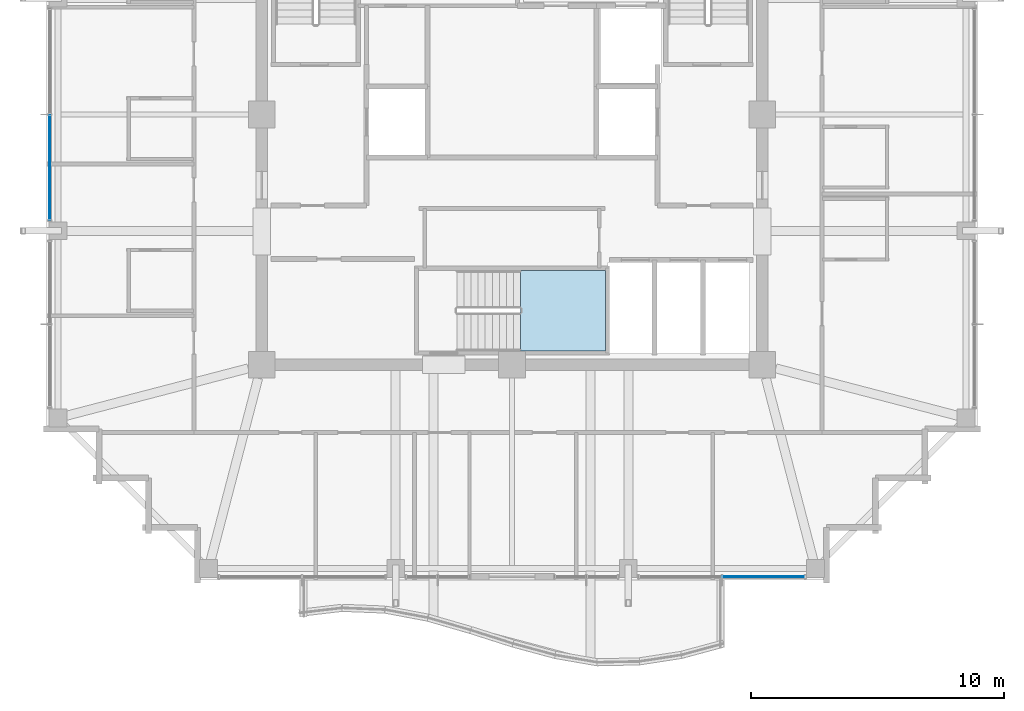
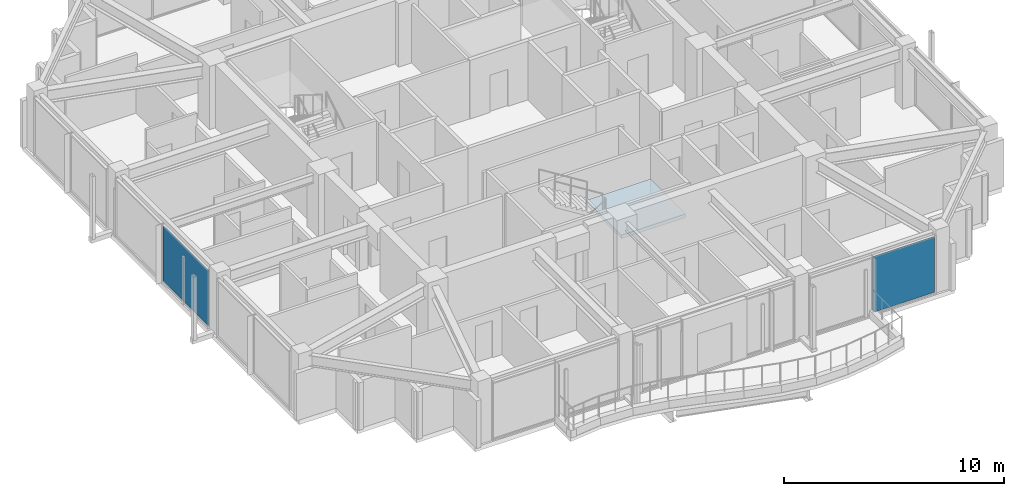
# One storey, part 21 of 31: 2 plates, 1 slab, 3 elements without a shape of their own.
"""IFC4 building model written with IfcOpenShell, lengths in metres."""

from ifc_helpers import new_model, si_unit, direction, frame, origin, origin_2d, place, context, subcontext, project, spatial, polyline, rectangle, outline, extrude, material, layer, layer_set, type_object, element, aggregate, save


model = new_model("IFC4")

# Units and contexts
model_context = context("Model", 3, precision=1e-05, world=origin(), true_north=direction((0.0, 1.0)))
body_context = subcontext(model_context, "Body", "Model", "MODEL_VIEW")
ifc_project = project(units=[si_unit("LENGTHUNIT", "METRE"), si_unit("AREAUNIT", "SQUARE_METRE"), si_unit("VOLUMEUNIT", "CUBIC_METRE"), si_unit("PLANEANGLEUNIT", "RADIAN"), si_unit("MASSUNIT", "GRAM", prefix="KILO")], contexts=[model_context])

# Site, building, storey
site_placement = place(None, origin())
site = spatial("IfcSite", under=ifc_project, at=site_placement, CompositionType="ELEMENT")
building_placement = place(site_placement, origin())
building = spatial("IfcBuilding", under=site, at=building_placement, Name="Kolvaren Belvedere", CompositionType="ELEMENT")
storey_placement = place(building_placement, frame((0.0, 0.0, 247.89990234375)))
storey = spatial("IfcBuildingStorey", under=building, at=storey_placement, Name="L72", CompositionType="ELEMENT", Elevation=247.89990234375)

# Curtain wall, plate
ifc_material_1 = material(Name="Anodised pale-metal aluminium AA 6063-T6", Category="aluminium")
curtain_wall_type = type_object("IfcCurtainWallType", Name="CW-Z5-HIGH", PredefinedType="NOTDEFINED", material=ifc_material_1)
curtain_wall_1_placement = place(storey_placement, origin())
curtain_wall_1 = element("IfcCurtainWall", 1, at=curtain_wall_1_placement, inside=storey, type_object=curtain_wall_type, Name="L72 Unitised Curtain Wall FCW-L72-S1-B1", PredefinedType="NOTDEFINED")
ifc_material_2 = material(Name="Low-iron triple insulated glass", Category="glass")
ifc_layer_1 = layer(ifc_material_2, 0.028076171875)
ifc_layer_set_1 = layer_set([ifc_layer_1], Name="Low-iron triple insulated glass")
plate_type = type_object("IfcPlateType", Name="CW-PNL-VIS28", PredefinedType="CURTAIN_PANEL", material=ifc_layer_set_1)
plate_1_placement = place(storey_placement, frame((9.947509765625, -18.280029296875, 0.080078125), z_axis=(0.0, 0.0, 1.0), x_axis=(-1.0, 0.0, 0.0)))
plate_1 = element("IfcPlate", 2, at=plate_1_placement, type_object=plate_type, Name="FCW-L72-S1-B1 Vision Glazing Panel 1", PredefinedType="CURTAIN_PANEL", context=body_context, shape_type="SweptSolid", body=[
    extrude(rectangle(XDim=3.215087890625, YDim=0.028076171875, at=origin_2d()), origin(), (0.0, 0.0, 1.0), 3.090087890625),
])
aggregate(curtain_wall_1, [plate_1])

curtain_wall_2_placement = place(storey_placement, origin())
curtain_wall_2 = element("IfcCurtainWall", 3, at=curtain_wall_2_placement, inside=storey, type_object=curtain_wall_type, Name="L72 Unitised Curtain Wall FCW-L72-W-B2", PredefinedType="NOTDEFINED")
plate_2_placement = place(storey_placement, frame((-18.280029296875, -2.097412109375, 0.080078125), z_axis=(0.0, 0.0, 1.0), x_axis=(0.0, 1.0, 0.0)))
plate_2 = element("IfcPlate", 4, at=plate_2_placement, type_object=plate_type, Name="FCW-L72-W-B2 Vision Glazing Panel 1", PredefinedType="CURTAIN_PANEL", context=body_context, shape_type="SweptSolid", body=[
    extrude(rectangle(XDim=4.114990234375, YDim=0.028076171875, at=origin_2d()), origin(), (0.0, 0.0, 1.0), 3.090087890625),
])
aggregate(curtain_wall_2, [plate_2])

# Stair, slab
ifc_material_3 = material(Name="Concrete C50/60", Category="concrete")
stair_type = type_object("IfcStairType", Name="ST-CORE-1520", PredefinedType="HALF_TURN_STAIR", material=ifc_material_3)
stair_placement = place(storey_placement, origin())
stair = element("IfcStair", 5, at=stair_placement, inside=storey, type_object=stair_type, Name="L72 Protected Exit Stair ST-3", PredefinedType="HALF_TURN_STAIR")
ifc_material_4 = material(Name="Concrete C50/60", Category="concrete")
ifc_layer_2 = layer(ifc_material_4, 0.260009765625)
ifc_layer_set_2 = layer_set([ifc_layer_2], Name="Concrete C50/60")
slab_type = type_object("IfcSlabType", Name="SL-LAND-260", PredefinedType="LANDING", material=ifc_layer_set_2)
slab_placement = place(storey_placement, frame((0.0, 0.0, 1.550048828125)))
slab = element("IfcSlab", 6, at=slab_placement, type_object=slab_type, Name="ST-3 landing 1", PredefinedType="LANDING", context=body_context, shape_type="SweptSolid", body=[
    extrude(outline(polyline([(0.340087890625, -9.35009765625), (3.699951171875, -9.35009765625), (3.699951171875, -6.159912109375), (0.340087890625, -6.159912109375), (0.340087890625, -9.35009765625)])), origin(), (0.0, 0.0, 1.0), 0.199951171875),
])
aggregate(stair, [slab])

save(model, "model.ifc")
